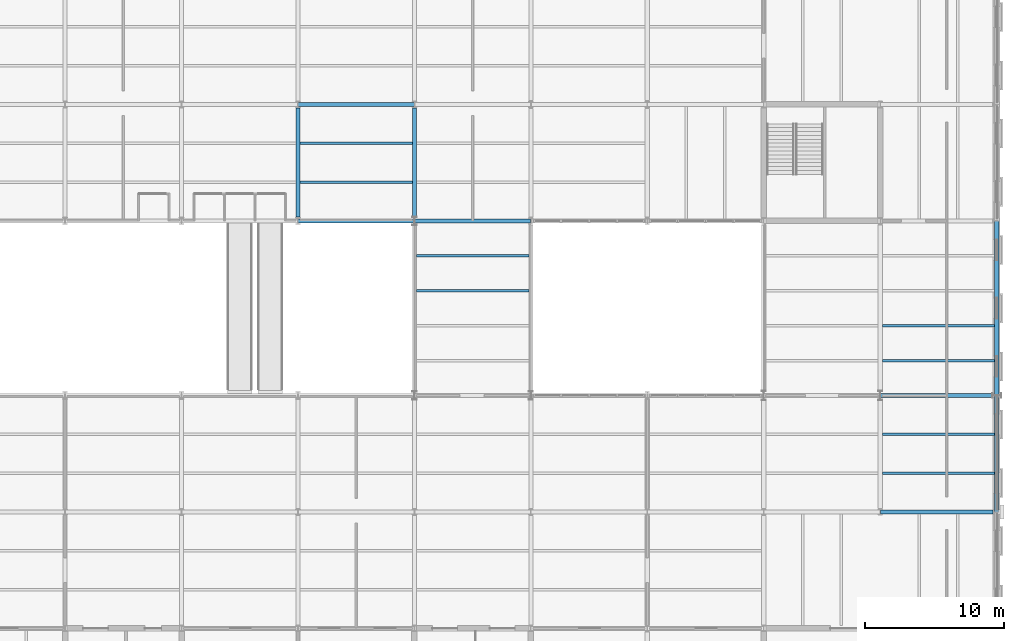
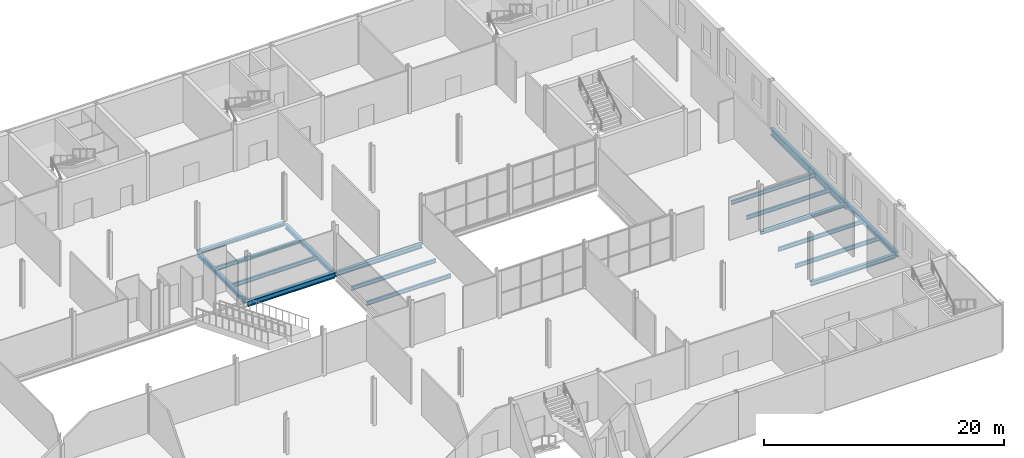
# One storey, part 21 of 52: 17 beams.
"""IFC4 building model written with IfcOpenShell, lengths in metres."""

from ifc_helpers import new_model, si_unit, direction, frame, origin, origin_2d, place, context, subcontext, project, spatial, i_section, extrude, material, material_profile, profile_set, type_object, element, save


model = new_model("IFC4")

# Units and contexts
model_context = context("Model", 3, precision=1e-05, world=origin(), true_north=direction((0.0, 1.0)))
body_context = subcontext(model_context, "Body", "Model", "MODEL_VIEW")
ifc_project = project(units=[si_unit("LENGTHUNIT", "METRE"), si_unit("AREAUNIT", "SQUARE_METRE"), si_unit("VOLUMEUNIT", "CUBIC_METRE"), si_unit("PLANEANGLEUNIT", "RADIAN"), si_unit("MASSUNIT", "GRAM", prefix="KILO")], contexts=[model_context])

# Site, building, storey
site_placement = place(None, origin())
site = spatial("IfcSite", under=ifc_project, at=site_placement, CompositionType="ELEMENT")
building_placement = place(site_placement, origin())
building = spatial("IfcBuilding", under=site, at=building_placement, Name="Galleria Vessillo Department Store", CompositionType="ELEMENT")
storey_placement = place(building_placement, frame((0.0, 0.0, 16.199951171875)))
storey = spatial("IfcBuildingStorey", under=building, at=storey_placement, Name="L03", CompositionType="ELEMENT", Elevation=16.199951171875)

# Beams
ifc_material_1 = material(Name="Steel S355 J2", Category="steel")
ifc_material_profile_1 = material_profile(ifc_material_1, i_section(OverallWidth=0.300048828125, OverallDepth=0.43994140625, WebThickness=0.011474609375, FlangeThickness=0.02099609375, FilletRadius=0.027099609375, at=origin_2d()), Name="HEA 450")
ifc_profile_set_1 = profile_set([ifc_material_profile_1], Name="Steel S355 J2")
beam_type_1 = type_object("IfcBeamType", Name="Bridge girder HEA 450", PredefinedType="BEAM", material=ifc_profile_set_1)
beam_1_placement = place(storey_placement, frame((75.610595703125, 37.800048828125, -0.369873046875), z_axis=(1.0, 0.0, 0.0), x_axis=(0.0, 1.0, 0.0)))
element("IfcBeam", 1, at=beam_1_placement, inside=storey, type_object=beam_type_1, Name="S-BM-L03-BR-x37800-75611", PredefinedType="BEAM", context=body_context, shape_type="SweptSolid", body=[
    extrude(i_section(OverallWidth=0.300048828125, OverallDepth=0.43994140625, WebThickness=0.011474609375, FlangeThickness=0.02099609375, FilletRadius=0.027099609375, at=origin_2d()), origin(), (0.0, 0.0, 1.0), 8.378662109375),
])
ifc_material_2 = material(Name="Steel S355 J2", Category="steel")
ifc_material_profile_2 = material_profile(ifc_material_2, i_section(OverallWidth=0.300048828125, OverallDepth=0.43994140625, WebThickness=0.011474609375, FlangeThickness=0.02099609375, FilletRadius=0.027099609375, at=origin_2d()), Name="HEA 450")
ifc_profile_set_2 = profile_set([ifc_material_profile_2], Name="Steel S355 J2")
beam_type_2 = type_object("IfcBeamType", Name="Floor girder HEA 450", PredefinedType="BEAM", material=ifc_profile_set_2)
beam_2_placement = place(storey_placement, frame((109.207275390625, 16.800048828125, -0.369873046875), z_axis=(1.0, 0.0, 0.0), x_axis=(0.0, 1.0, 0.0)))
element("IfcBeam", 2, at=beam_2_placement, inside=storey, type_object=beam_type_2, Name="S-BM-L03-GI-x16800-109207", PredefinedType="BEAM", context=body_context, shape_type="SweptSolid", body=[
    extrude(i_section(OverallWidth=0.300048828125, OverallDepth=0.43994140625, WebThickness=0.011474609375, FlangeThickness=0.02099609375, FilletRadius=0.027099609375, at=origin_2d()), origin(), (0.0, 0.0, 1.0), 8.142578125),
])
beam_3_placement = place(storey_placement, frame((67.199951171875, 38.06201171875, -0.369873046875), z_axis=(0.0, 1.0, 0.0), x_axis=(-1.0, 0.0, 0.0)))
element("IfcBeam", 3, at=beam_3_placement, inside=storey, type_object=beam_type_2, Name="S-BM-L03-GI-y67200-38062", PredefinedType="BEAM", context=body_context, shape_type="SweptSolid", body=[
    extrude(i_section(OverallWidth=0.300048828125, OverallDepth=0.43994140625, WebThickness=0.011474609375, FlangeThickness=0.02099609375, FilletRadius=0.027099609375, at=origin_2d()), origin(), (0.0, 0.0, 1.0), 7.887939453125),
])
beam_4_placement = place(storey_placement, frame((75.60009765625, 38.110107421875, -0.369873046875), z_axis=(0.0, 1.0, 0.0), x_axis=(-1.0, 0.0, 0.0)))
element("IfcBeam", 4, at=beam_4_placement, inside=storey, type_object=beam_type_2, Name="S-BM-L03-GI-y75600-38110", PredefinedType="BEAM", context=body_context, shape_type="SweptSolid", body=[
    extrude(i_section(OverallWidth=0.300048828125, OverallDepth=0.43994140625, WebThickness=0.011474609375, FlangeThickness=0.02099609375, FilletRadius=0.027099609375, at=origin_2d()), origin(), (0.0, 0.0, 1.0), 7.83984375),
])
ifc_material_3 = material(Name="Steel S355 J2", Category="steel")
ifc_material_profile_3 = material_profile(ifc_material_3, i_section(OverallWidth=0.179931640625, OverallDepth=0.39990234375, WebThickness=0.008544921875, FlangeThickness=0.013427734375, FilletRadius=0.02099609375, at=origin_2d()), Name="IPE 400")
ifc_profile_set_3 = profile_set([ifc_material_profile_3], Name="Steel S355 J2")
beam_type_3 = type_object("IfcBeamType", Name="Floor joist IPE 400", PredefinedType="JOIST", material=ifc_profile_set_3)
for number, where, z_axis, x_axis, name in (
    (5, (67.35009765625, 40.60009765625, -0.349853515625), (1.0, 0.0, 0.0), (0.0, 1.0, 0.0), "S-BM-L03-JO-x40600-67350"),
    (6, (67.35009765625, 43.39990234375, -0.349853515625), (1.0, 0.0, 0.0), (0.0, 1.0, 0.0), "S-BM-L03-JO-x43400-67350"),
):
    element("IfcBeam", number, at=place(storey_placement, frame(where, z_axis=z_axis, x_axis=x_axis)), inside=storey, type_object=beam_type_3, Name=name, PredefinedType="JOIST", context=body_context, shape_type="SweptSolid", body=[
        extrude(i_section(OverallWidth=0.179931640625, OverallDepth=0.39990234375, WebThickness=0.008544921875, FlangeThickness=0.013427734375, FilletRadius=0.02099609375, at=origin_2d()), origin(), (0.0, 0.0, 1.0), 8.099853515625),
    ])
for number, where, z_axis, x_axis, name in (
    (7, (75.750244140625, 32.760009765625, -0.349853515625), (1.0, 0.0, 0.0), (0.0, 1.0, 0.0), "S-BM-L03-JO-x32760-75750"),
    (8, (75.750244140625, 35.280029296875, -0.349853515625), (1.0, 0.0, 0.0), (0.0, 1.0, 0.0), "S-BM-L03-JO-x35280-75750"),
):
    element("IfcBeam", number, at=place(storey_placement, frame(where, z_axis=z_axis, x_axis=x_axis)), inside=storey, type_object=beam_type_3, Name=name, PredefinedType="JOIST", context=body_context, shape_type="SweptSolid", body=[
        extrude(i_section(OverallWidth=0.179931640625, OverallDepth=0.39990234375, WebThickness=0.008544921875, FlangeThickness=0.013427734375, FilletRadius=0.02099609375, at=origin_2d()), origin(), (0.0, 0.0, 1.0), 8.099609375),
    ])
for number, where, z_axis, x_axis, name in (
    (9, (109.35009765625, 19.60009765625, -0.349853515625), (1.0, 0.0, 0.0), (0.0, 1.0, 0.0), "S-BM-L03-JO-x19600-109350"),
    (10, (109.35009765625, 22.39990234375, -0.349853515625), (1.0, 0.0, 0.0), (0.0, 1.0, 0.0), "S-BM-L03-JO-x22400-109350"),
):
    element("IfcBeam", number, at=place(storey_placement, frame(where, z_axis=z_axis, x_axis=x_axis)), inside=storey, type_object=beam_type_3, Name=name, PredefinedType="JOIST", context=body_context, shape_type="SweptSolid", body=[
        extrude(i_section(OverallWidth=0.179931640625, OverallDepth=0.39990234375, WebThickness=0.008544921875, FlangeThickness=0.013427734375, FilletRadius=0.02099609375, at=origin_2d()), origin(), (0.0, 0.0, 1.0), 8.099853515625),
    ])
for number, where, z_axis, x_axis, name in (
    (11, (109.35009765625, 27.719970703125, -0.349853515625), (1.0, 0.0, 0.0), (0.0, 1.0, 0.0), "S-BM-L03-JO-x27720-109350"),
    (12, (109.35009765625, 30.239990234375, -0.349853515625), (1.0, 0.0, 0.0), (0.0, 1.0, 0.0), "S-BM-L03-JO-x30240-109350"),
):
    element("IfcBeam", number, at=place(storey_placement, frame(where, z_axis=z_axis, x_axis=x_axis)), inside=storey, type_object=beam_type_3, Name=name, PredefinedType="JOIST", context=body_context, shape_type="SweptSolid", body=[
        extrude(i_section(OverallWidth=0.179931640625, OverallDepth=0.39990234375, WebThickness=0.008544921875, FlangeThickness=0.013427734375, FilletRadius=0.02099609375, at=origin_2d()), origin(), (0.0, 0.0, 1.0), 8.09765625),
    ])
ifc_material_4 = material(Name="Steel S355 J2", Category="steel")
ifc_material_profile_4 = material_profile(ifc_material_4, i_section(OverallWidth=0.300048828125, OverallDepth=0.330078125, WebThickness=0.009521484375, FlangeThickness=0.0166015625, FilletRadius=0.027099609375, at=origin_2d()), Name="HEA 340")
ifc_profile_set_4 = profile_set([ifc_material_profile_4], Name="Steel S355 J2")
beam_type_4 = type_object("IfcBeamType", Name="Floor tie girder HEA 340", PredefinedType="BEAM", material=ifc_profile_set_4)
beam_5_placement = place(storey_placement, frame((109.210693359375, 25.199951171875, -0.31494140625), z_axis=(1.0, 0.0, 0.0), x_axis=(0.0, 1.0, 0.0)))
element("IfcBeam", 13, at=beam_5_placement, inside=storey, type_object=beam_type_4, Name="S-BM-L03-TI-x25200-109211", PredefinedType="BEAM", context=body_context, shape_type="SweptSolid", body=[
    extrude(i_section(OverallWidth=0.300048828125, OverallDepth=0.330078125, WebThickness=0.009521484375, FlangeThickness=0.0166015625, FilletRadius=0.027099609375, at=origin_2d()), origin(), (0.0, 0.0, 1.0), 8.05517578125),
])
beam_6_placement = place(storey_placement, frame((67.207275390625, 46.199951171875, -0.31494140625), z_axis=(1.0, 0.0, 0.0), x_axis=(0.0, 1.0, 0.0)))
element("IfcBeam", 14, at=beam_6_placement, inside=storey, type_object=beam_type_4, Name="S-BM-L03-TI-x46200-67207", PredefinedType="BEAM", context=body_context, shape_type="SweptSolid", body=[
    extrude(i_section(OverallWidth=0.300048828125, OverallDepth=0.330078125, WebThickness=0.009521484375, FlangeThickness=0.0166015625, FilletRadius=0.027099609375, at=origin_2d()), origin(), (0.0, 0.0, 1.0), 8.38525390625),
])
ifc_material_5 = material(Name="Steel S355 J2", Category="steel")
ifc_material_profile_5 = material_profile(ifc_material_5, i_section(OverallWidth=0.303955078125, OverallDepth=0.716064453125, WebThickness=0.02099609375, FlangeThickness=0.0400390625, FilletRadius=0.027099609375, at=origin_2d()), Name="HEM 700")
ifc_profile_set_5 = profile_set([ifc_material_profile_5], Name="Steel S355 J2")
beam_type_5 = type_object("IfcBeamType", Name="Portal girder HEM 700", PredefinedType="BEAM", material=ifc_profile_set_5)
beam_7_placement = place(storey_placement, frame((117.60009765625, 25.210693359375, -0.5078125), z_axis=(0.0, 1.0, 0.0), x_axis=(-1.0, 0.0, 0.0)))
element("IfcBeam", 15, at=beam_7_placement, inside=storey, type_object=beam_type_5, Name="S-BM-L03-PO-y117600-25211", PredefinedType="BEAM", context=body_context, shape_type="SweptSolid", body=[
    extrude(i_section(OverallWidth=0.303955078125, OverallDepth=0.716064453125, WebThickness=0.02099609375, FlangeThickness=0.0400390625, FilletRadius=0.027099609375, at=origin_2d()), origin(), (0.0, 0.0, 1.0), 12.57861328125),
])
ifc_material_6 = material(Name="Steel S355 J2", Category="steel")
ifc_material_profile_6 = material_profile(ifc_material_6, i_section(OverallWidth=0.300048828125, OverallDepth=0.489990234375, WebThickness=0.011962890625, FlangeThickness=0.02294921875, FilletRadius=0.027099609375, at=origin_2d()), Name="HEA 500")
ifc_profile_set_6 = profile_set([ifc_material_profile_6], Name="Steel S355 J2")
beam_type_6 = type_object("IfcBeamType", Name="Spandrel beam HEA 500", PredefinedType="SPANDREL", material=ifc_profile_set_6)
beam_8_placement = place(storey_placement, frame((117.60009765625, 16.807373046875, -0.39501953125), z_axis=(0.0, 1.0, 0.0), x_axis=(-1.0, 0.0, 0.0)))
element("IfcBeam", 16, at=beam_8_placement, inside=storey, type_object=beam_type_6, Name="S-BM-L03-SP-y117600-16807", PredefinedType="SPANDREL", context=body_context, shape_type="SweptSolid", body=[
    extrude(i_section(OverallWidth=0.300048828125, OverallDepth=0.489990234375, WebThickness=0.011962890625, FlangeThickness=0.02294921875, FilletRadius=0.027099609375, at=origin_2d()), origin(), (0.0, 0.0, 1.0), 8.382080078125),
])
ifc_material_7 = material(Name="Steel S355 J2", Category="steel")
ifc_material_profile_7 = material_profile(ifc_material_7, i_section(OverallWidth=0.300048828125, OverallDepth=0.5400390625, WebThickness=0.012451171875, FlangeThickness=0.02392578125, FilletRadius=0.027099609375, at=origin_2d()), Name="HEA 550")
ifc_profile_set_7 = profile_set([ifc_material_profile_7], Name="Steel S355 J2")
beam_type_7 = type_object("IfcBeamType", Name="Trimmer beam HEA 550", PredefinedType="BEAM", material=ifc_profile_set_7)
beam_9_placement = place(storey_placement, frame((67.210693359375, 37.800048828125, -0.419921875), z_axis=(1.0, 0.0, 0.0), x_axis=(0.0, 1.0, 0.0)))
element("IfcBeam", 17, at=beam_9_placement, inside=storey, type_object=beam_type_7, Name="S-BM-L03-TR-x37800-67211", PredefinedType="BEAM", context=body_context, shape_type="SweptSolid", body=[
    extrude(i_section(OverallWidth=0.300048828125, OverallDepth=0.5400390625, WebThickness=0.012451171875, FlangeThickness=0.02392578125, FilletRadius=0.027099609375, at=origin_2d()), origin(), (0.0, 0.0, 1.0), 8.378662109375),
])

save(model, "model.ifc")
